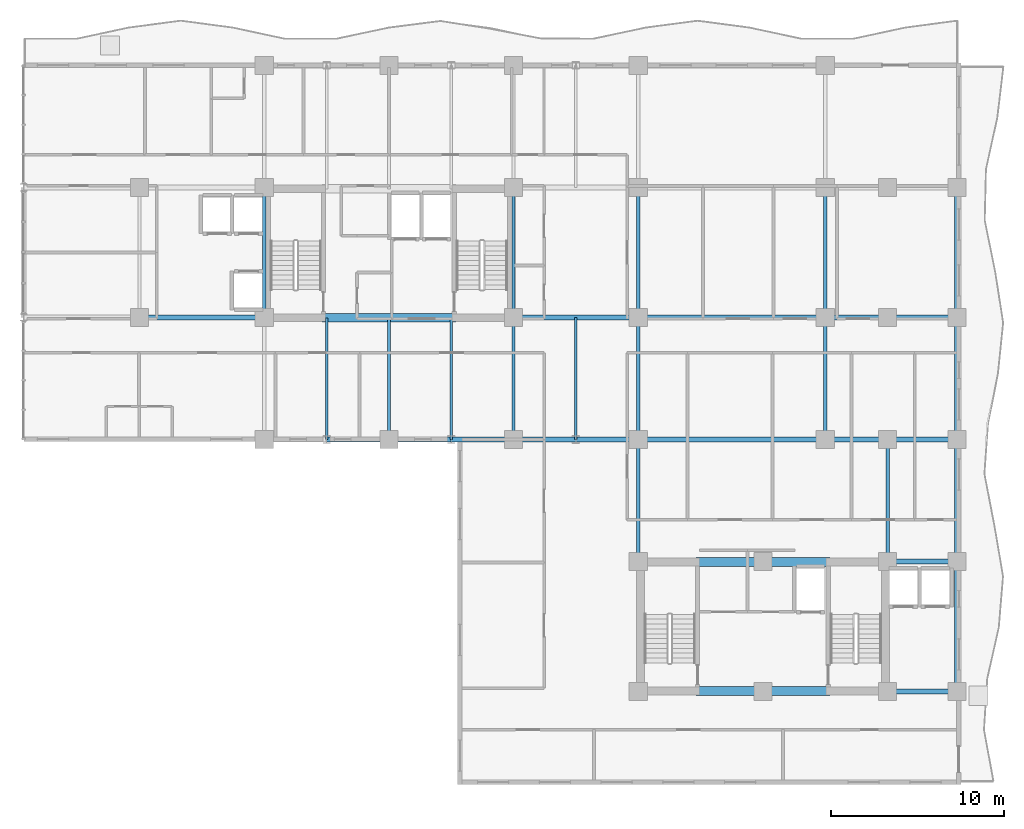
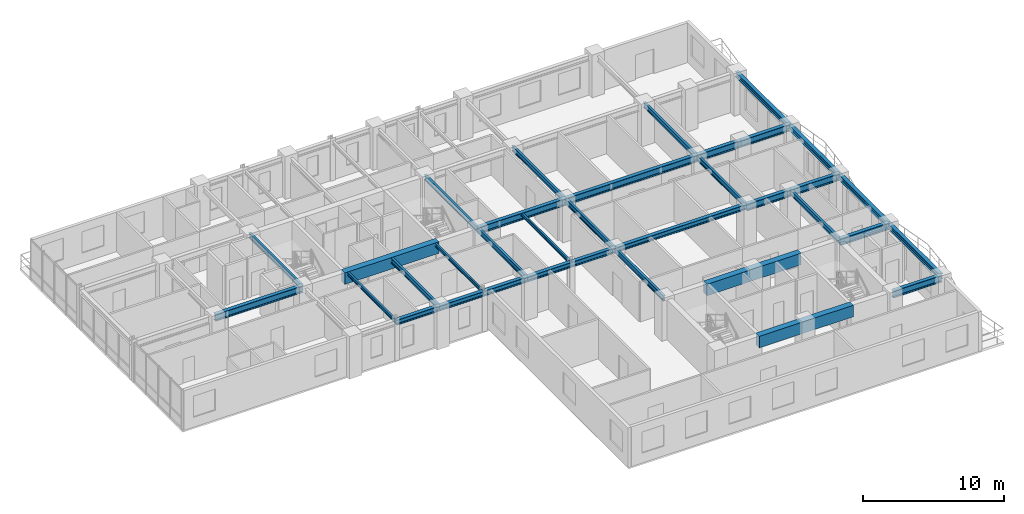
# One storey, part 6 of 19: 35 beams.
"""IFC4 building model written with IfcOpenShell, lengths in metres."""

from ifc_helpers import new_model, si_unit, direction, frame, origin, origin_2d, place, context, subcontext, project, spatial, rectangle, i_section, extrude, source, transform, mapped, material, material_profile, profile_set, type_object, element, save


model = new_model("IFC4")

# Units and contexts
model_context = context("Model", 3, precision=1e-05, world=origin(), true_north=direction((0.0, 1.0)))
body_context = subcontext(model_context, "Body", "Model", "MODEL_VIEW")
ifc_project = project(units=[si_unit("LENGTHUNIT", "METRE"), si_unit("AREAUNIT", "SQUARE_METRE"), si_unit("VOLUMEUNIT", "CUBIC_METRE"), si_unit("PLANEANGLEUNIT", "RADIAN"), si_unit("MASSUNIT", "GRAM", prefix="KILO")], contexts=[model_context])

# Site, building, storey
site_placement = place(None, origin())
site = spatial("IfcSite", under=ifc_project, at=site_placement, CompositionType="ELEMENT")
building_placement = place(site_placement, origin())
building = spatial("IfcBuilding", under=site, at=building_placement, Name="Kaliganga Portal Commons", CompositionType="ELEMENT")
storey_placement = place(building_placement, frame((0.0, 0.0, 184.60009765625)))
storey = spatial("IfcBuildingStorey", under=building, at=storey_placement, Name="L47", CompositionType="ELEMENT", Elevation=184.60009765625)

# Beams
ifc_material_1 = material(Name="Concrete C50/60", Category="concrete")
ifc_material_profile_1 = material_profile(ifc_material_1, rectangle(XDim=0.5, YDim=1.0, at=origin_2d()), Name="RC 500x1000")
ifc_profile_set_1 = profile_set([ifc_material_profile_1], Name="Concrete C50/60")
beam_type_1 = type_object("IfcBeamType", Name="BM-CPL-1000", PredefinedType="LINTEL", material=ifc_profile_set_1)
shared_shape_1 = source(origin(), body_context, "Body", "SweptSolid", [
    extrude(rectangle(XDim=0.5, YDim=1.0, at=origin_2d()), origin(), (0.0, 0.0, 1.0), 7.739990234375),
])
for number, where, z_axis, x_axis, name in (
    (1, (17.72998046875, 28.625, 2.9599609375), (1.0, 0.0, 0.0), (0.0, 1.0, 0.0), "BM CPL COREA L47 S"),
    (2, (39.330078125, 7.074951171875, 2.9599609375), (1.0, 0.0, 0.0), (0.0, 1.0, 0.0), "BM CPL COREB L47 S"),
    (3, (39.330078125, 14.52490234375, 2.9599609375), (1.0, 0.0, 0.0), (0.0, 1.0, 0.0), "BM CPL COREB L47 N"),
):
    element("IfcBeam", number, at=place(storey_placement, frame(where, z_axis=z_axis, x_axis=x_axis)), inside=storey, type_object=beam_type_1, Name=name, PredefinedType="LINTEL", context=body_context, shape_type="MappedRepresentation", body=[
        mapped(shared_shape_1, transform((0.0, 0.0, 0.0), x_axis=(1.0, 0.0, 0.0), y_axis=(0.0, 1.0, 0.0), z_axis=(0.0, 0.0, 1.0), scale=1.0)),
    ])
ifc_material_2 = material(Name="Structural steel S355J2", Category="steel")
ifc_material_profile_2 = material_profile(ifc_material_2, i_section(OverallWidth=0.300048828125, OverallDepth=0.449951171875, WebThickness=0.013916015625, FlangeThickness=0.02587890625, FilletRadius=0.027099609375, at=origin_2d()), Name="HE 450 B")
ifc_profile_set_2 = profile_set([ifc_material_profile_2], Name="Structural steel S355J2 wide-flange")
beam_type_2 = type_object("IfcBeamType", Name="BM-SPAND-450", PredefinedType="SPANDREL", material=ifc_profile_set_2)
shared_shape_2 = source(origin(), body_context, "Body", "SweptSolid", [
    extrude(i_section(OverallWidth=0.300048828125, OverallDepth=0.449951171875, WebThickness=0.013916015625, FlangeThickness=0.02587890625, FilletRadius=0.027099609375, at=origin_2d()), origin(), (0.0, 0.0, 1.0), 3.60009765625),
])
for number, where, z_axis, x_axis, name in (
    (4, (18.0, 21.60009765625, 3.23486328125), (1.0, 0.0, 0.0), (0.0, 1.0, 0.0), "BM SP L47 AS 2"),
    (5, (25.199951171875, 21.60009765625, 3.23486328125), (1.0, 0.0, 0.0), (0.0, 1.0, 0.0), "BM SP L47 AS 4"),
    (6, (32.39990234375, 21.60009765625, 3.23486328125), (1.0, 0.0, 0.0), (0.0, 1.0, 0.0), "BM SP L47 AS 6"),
):
    element("IfcBeam", number, at=place(storey_placement, frame(where, z_axis=z_axis, x_axis=x_axis)), inside=storey, type_object=beam_type_2, Name=name, PredefinedType="SPANDREL", context=body_context, shape_type="MappedRepresentation", body=[
        mapped(shared_shape_2, transform((0.0, 0.0, 0.0), x_axis=(1.0, 0.0, 0.0), y_axis=(0.0, 1.0, 0.0), z_axis=(0.0, 0.0, 1.0), scale=1.0)),
    ])
shared_shape_3 = source(origin(), body_context, "Body", "SweptSolid", [
    extrude(i_section(OverallWidth=0.300048828125, OverallDepth=0.449951171875, WebThickness=0.013916015625, FlangeThickness=0.02587890625, FilletRadius=0.027099609375, at=origin_2d()), origin(), (0.0, 0.0, 1.0), 3.599853515625),
])
for number, where, z_axis, x_axis, name in (
    (7, (21.60009765625, 21.60009765625, 3.23486328125), (1.0, 0.0, 0.0), (0.0, 1.0, 0.0), "BM SP L47 AS 3"),
    (8, (28.800048828125, 21.60009765625, 3.23486328125), (1.0, 0.0, 0.0), (0.0, 1.0, 0.0), "BM SP L47 AS 5"),
):
    element("IfcBeam", number, at=place(storey_placement, frame(where, z_axis=z_axis, x_axis=x_axis)), inside=storey, type_object=beam_type_2, Name=name, PredefinedType="SPANDREL", context=body_context, shape_type="MappedRepresentation", body=[
        mapped(shared_shape_3, transform((0.0, 0.0, 0.0), x_axis=(1.0, 0.0, 0.0), y_axis=(0.0, 1.0, 0.0), z_axis=(0.0, 0.0, 1.0), scale=1.0)),
    ])
shared_shape_4 = source(origin(), body_context, "Body", "SweptSolid", [
    extrude(i_section(OverallWidth=0.300048828125, OverallDepth=0.449951171875, WebThickness=0.013916015625, FlangeThickness=0.02587890625, FilletRadius=0.027099609375, at=origin_2d()), origin(), (0.0, 0.0, 1.0), 10.800048828125),
])
beam_1_placement = place(storey_placement, frame((36.0, 21.60009765625, 3.23486328125), z_axis=(1.0, 0.0, 0.0), x_axis=(0.0, 1.0, 0.0)))
element("IfcBeam", 9, at=beam_1_placement, inside=storey, type_object=beam_type_2, Name="BM SP L47 AS 7", PredefinedType="SPANDREL", context=body_context, shape_type="MappedRepresentation", body=[
    mapped(shared_shape_4, transform((0.0, 0.0, 0.0), x_axis=(1.0, 0.0, 0.0), y_axis=(0.0, 1.0, 0.0), z_axis=(0.0, 0.0, 1.0), scale=1.0)),
])
shared_shape_5 = source(origin(), body_context, "Body", "SweptSolid", [
    extrude(i_section(OverallWidth=0.300048828125, OverallDepth=0.449951171875, WebThickness=0.013916015625, FlangeThickness=0.02587890625, FilletRadius=0.027099609375, at=origin_2d()), origin(), (0.0, 0.0, 1.0), 7.5),
])
for number, where, z_axis, x_axis, name in (
    (10, (54.39990234375, 7.050048828125, 3.23486328125), (0.0, 1.0, 0.0), (-1.0, 0.0, 0.0), "BM SP L47 BE 1"),
    (11, (54.39990234375, 28.64990234375, 3.23486328125), (0.0, 1.0, 0.0), (-1.0, 0.0, 0.0), "BM SP L47 BE 4"),
):
    element("IfcBeam", number, at=place(storey_placement, frame(where, z_axis=z_axis, x_axis=x_axis)), inside=storey, type_object=beam_type_2, Name=name, PredefinedType="SPANDREL", context=body_context, shape_type="MappedRepresentation", body=[
        mapped(shared_shape_5, transform((0.0, 0.0, 0.0), x_axis=(1.0, 0.0, 0.0), y_axis=(0.0, 1.0, 0.0), z_axis=(0.0, 0.0, 1.0), scale=1.0)),
    ])
shared_shape_6 = source(origin(), body_context, "Body", "SweptSolid", [
    extrude(i_section(OverallWidth=0.300048828125, OverallDepth=0.449951171875, WebThickness=0.013916015625, FlangeThickness=0.02587890625, FilletRadius=0.027099609375, at=origin_2d()), origin(), (0.0, 0.0, 1.0), 7.050048828125),
])
beam_2_placement = place(storey_placement, frame((54.39990234375, 14.550048828125, 3.23486328125), z_axis=(0.0, 1.0, 0.0), x_axis=(-1.0, 0.0, 0.0)))
element("IfcBeam", 12, at=beam_2_placement, inside=storey, type_object=beam_type_2, Name="BM SP L47 BE 2", PredefinedType="SPANDREL", context=body_context, shape_type="MappedRepresentation", body=[
    mapped(shared_shape_6, transform((0.0, 0.0, 0.0), x_axis=(1.0, 0.0, 0.0), y_axis=(0.0, 1.0, 0.0), z_axis=(0.0, 0.0, 1.0), scale=1.0)),
])
shared_shape_7 = source(origin(), body_context, "Body", "SweptSolid", [
    extrude(i_section(OverallWidth=0.300048828125, OverallDepth=0.449951171875, WebThickness=0.013916015625, FlangeThickness=0.02587890625, FilletRadius=0.027099609375, at=origin_2d()), origin(), (0.0, 0.0, 1.0), 7.0498046875),
])
beam_3_placement = place(storey_placement, frame((54.39990234375, 21.60009765625, 3.23486328125), z_axis=(0.0, 1.0, 0.0), x_axis=(-1.0, 0.0, 0.0)))
element("IfcBeam", 13, at=beam_3_placement, inside=storey, type_object=beam_type_2, Name="BM SP L47 BE 3", PredefinedType="SPANDREL", context=body_context, shape_type="MappedRepresentation", body=[
    mapped(shared_shape_7, transform((0.0, 0.0, 0.0), x_axis=(1.0, 0.0, 0.0), y_axis=(0.0, 1.0, 0.0), z_axis=(0.0, 0.0, 1.0), scale=1.0)),
])
ifc_material_profile_3 = material_profile(ifc_material_2, i_section(OverallWidth=0.300048828125, OverallDepth=0.60009765625, WebThickness=0.015380859375, FlangeThickness=0.030029296875, FilletRadius=0.027099609375, at=origin_2d()), Name="HE 600 B")
ifc_profile_set_3 = profile_set([ifc_material_profile_3], Name="Structural steel S355J2 wide-flange")
beam_type_3 = type_object("IfcBeamType", Name="BM-GIRD-600", PredefinedType="USERDEFINED", material=ifc_profile_set_3)
shared_shape_8 = source(origin(), body_context, "Body", "SweptSolid", [
    extrude(i_section(OverallWidth=0.300048828125, OverallDepth=0.60009765625, WebThickness=0.015380859375, FlangeThickness=0.030029296875, FilletRadius=0.027099609375, at=origin_2d()), origin(), (0.0, 0.0, 1.0), 7.199951171875),
])
for number, where, z_axis, x_axis, name in (
    (14, (7.199951171875, 28.64990234375, 3.159912109375), (1.0, 0.0, 0.0), (0.0, 1.0, 0.0), "BM G L47 WAH_S 2"),
    (15, (28.800048828125, 28.64990234375, 3.159912109375), (1.0, 0.0, 0.0), (0.0, 1.0, 0.0), "BM G L47 WAE_S 1"),
):
    element("IfcBeam", number, at=place(storey_placement, frame(where, z_axis=z_axis, x_axis=x_axis)), inside=storey, type_object=beam_type_3, Name=name, ObjectType="GIRDER", PredefinedType="USERDEFINED", context=body_context, shape_type="MappedRepresentation", body=[
        mapped(shared_shape_8, transform((0.0, 0.0, 0.0), x_axis=(1.0, 0.0, 0.0), y_axis=(0.0, 1.0, 0.0), z_axis=(0.0, 0.0, 1.0), scale=1.0)),
    ])
shared_shape_9 = source(origin(), body_context, "Body", "SweptSolid", [
    extrude(i_section(OverallWidth=0.300048828125, OverallDepth=0.60009765625, WebThickness=0.015380859375, FlangeThickness=0.030029296875, FilletRadius=0.027099609375, at=origin_2d()), origin(), (0.0, 0.0, 1.0), 10.800048828125),
])
beam_4_placement = place(storey_placement, frame((36.0, 28.64990234375, 3.159912109375), z_axis=(1.0, 0.0, 0.0), x_axis=(0.0, 1.0, 0.0)))
element("IfcBeam", 16, at=beam_4_placement, inside=storey, type_object=beam_type_3, Name="BM G L47 WAE_S 2", ObjectType="GIRDER", PredefinedType="USERDEFINED", context=body_context, shape_type="MappedRepresentation", body=[
    mapped(shared_shape_9, transform((0.0, 0.0, 0.0), x_axis=(1.0, 0.0, 0.0), y_axis=(0.0, 1.0, 0.0), z_axis=(0.0, 0.0, 1.0), scale=1.0)),
])
shared_shape_10 = source(origin(), body_context, "Body", "SweptSolid", [
    extrude(i_section(OverallWidth=0.300048828125, OverallDepth=0.60009765625, WebThickness=0.015380859375, FlangeThickness=0.030029296875, FilletRadius=0.027099609375, at=origin_2d()), origin(), (0.0, 0.0, 1.0), 4.0),
])
for number, where, z_axis, x_axis, name in (
    (17, (50.39990234375, 7.050048828125, 3.159912109375), (1.0, 0.0, 0.0), (0.0, 1.0, 0.0), "BM G L47 BKE70 1"),
    (18, (50.39990234375, 14.550048828125, 3.159912109375), (1.0, 0.0, 0.0), (0.0, 1.0, 0.0), "BM G L47 BKE146 1"),
    (19, (50.39990234375, 21.60009765625, 3.159912109375), (1.0, 0.0, 0.0), (0.0, 1.0, 0.0), "BM G L47 BKE216 2"),
    (20, (50.39990234375, 28.64990234375, 3.159912109375), (1.0, 0.0, 0.0), (0.0, 1.0, 0.0), "BM G L47 BKE286 2"),
):
    element("IfcBeam", number, at=place(storey_placement, frame(where, z_axis=z_axis, x_axis=x_axis)), inside=storey, type_object=beam_type_3, Name=name, ObjectType="GIRDER", PredefinedType="USERDEFINED", context=body_context, shape_type="MappedRepresentation", body=[
        mapped(shared_shape_10, transform((0.0, 0.0, 0.0), x_axis=(1.0, 0.0, 0.0), y_axis=(0.0, 1.0, 0.0), z_axis=(0.0, 0.0, 1.0), scale=1.0)),
    ])
shared_shape_11 = source(origin(), body_context, "Body", "SweptSolid", [
    extrude(i_section(OverallWidth=0.300048828125, OverallDepth=0.60009765625, WebThickness=0.015380859375, FlangeThickness=0.030029296875, FilletRadius=0.027099609375, at=origin_2d()), origin(), (0.0, 0.0, 1.0), 3.599853515625),
])
for number, where, z_axis, x_axis, name in (
    (21, (46.800048828125, 21.60009765625, 3.159912109375), (1.0, 0.0, 0.0), (0.0, 1.0, 0.0), "BM G L47 BKE216 1"),
    (22, (46.800048828125, 28.64990234375, 3.159912109375), (1.0, 0.0, 0.0), (0.0, 1.0, 0.0), "BM G L47 BKE286 1"),
):
    element("IfcBeam", number, at=place(storey_placement, frame(where, z_axis=z_axis, x_axis=x_axis)), inside=storey, type_object=beam_type_3, Name=name, ObjectType="GIRDER", PredefinedType="USERDEFINED", context=body_context, shape_type="MappedRepresentation", body=[
        mapped(shared_shape_11, transform((0.0, 0.0, 0.0), x_axis=(1.0, 0.0, 0.0), y_axis=(0.0, 1.0, 0.0), z_axis=(0.0, 0.0, 1.0), scale=1.0)),
    ])
ifc_material_profile_4 = material_profile(ifc_material_2, i_section(OverallWidth=0.18994140625, OverallDepth=0.449951171875, WebThickness=0.009521484375, FlangeThickness=0.0146484375, FilletRadius=0.02099609375, at=origin_2d()), Name="IPE 450")
ifc_profile_set_4 = profile_set([ifc_material_profile_4], Name="Structural steel S355J2 wide-flange")
beam_type_4 = type_object("IfcBeamType", Name="BM-FLR-450", PredefinedType="BEAM", material=ifc_profile_set_4)
shared_shape_12 = source(origin(), body_context, "Body", "SweptSolid", [
    extrude(i_section(OverallWidth=0.18994140625, OverallDepth=0.449951171875, WebThickness=0.009521484375, FlangeThickness=0.0146484375, FilletRadius=0.02099609375, at=origin_2d()), origin(), (0.0, 0.0, 1.0), 7.5),
])
for number, where, z_axis, x_axis, name in (
    (23, (14.39990234375, 28.64990234375, 3.23486328125), (0.0, 1.0, 0.0), (-1.0, 0.0, 0.0), "BM G L47 AM144"),
    (24, (28.800048828125, 28.64990234375, 3.23486328125), (0.0, 1.0, 0.0), (-1.0, 0.0, 0.0), "BM G L47 AM288"),
    (25, (36.0, 28.64990234375, 3.23486328125), (0.0, 1.0, 0.0), (-1.0, 0.0, 0.0), "BM G L47 AM360"),
    (26, (46.800048828125, 28.64990234375, 3.23486328125), (0.0, 1.0, 0.0), (-1.0, 0.0, 0.0), "BM G L47 AM468"),
):
    element("IfcBeam", number, at=place(storey_placement, frame(where, z_axis=z_axis, x_axis=x_axis)), inside=storey, type_object=beam_type_4, Name=name, PredefinedType="BEAM", context=body_context, shape_type="MappedRepresentation", body=[
        mapped(shared_shape_12, transform((0.0, 0.0, 0.0), x_axis=(1.0, 0.0, 0.0), y_axis=(0.0, 1.0, 0.0), z_axis=(0.0, 0.0, 1.0), scale=1.0)),
    ])
shared_shape_13 = source(origin(), body_context, "Body", "SweptSolid", [
    extrude(i_section(OverallWidth=0.18994140625, OverallDepth=0.449951171875, WebThickness=0.009521484375, FlangeThickness=0.0146484375, FilletRadius=0.02099609375, at=origin_2d()), origin(), (0.0, 0.0, 1.0), 7.050048828125),
])
for number, where, z_axis, x_axis, name in (
    (27, (36.0, 14.550048828125, 3.23486328125), (0.0, 1.0, 0.0), (-1.0, 0.0, 0.0), "BM G L47 BNK360"),
    (28, (50.39990234375, 14.550048828125, 3.23486328125), (0.0, 1.0, 0.0), (-1.0, 0.0, 0.0), "BM G L47 BNK504"),
):
    element("IfcBeam", number, at=place(storey_placement, frame(where, z_axis=z_axis, x_axis=x_axis)), inside=storey, type_object=beam_type_4, Name=name, PredefinedType="BEAM", context=body_context, shape_type="MappedRepresentation", body=[
        mapped(shared_shape_13, transform((0.0, 0.0, 0.0), x_axis=(1.0, 0.0, 0.0), y_axis=(0.0, 1.0, 0.0), z_axis=(0.0, 0.0, 1.0), scale=1.0)),
    ])
shared_shape_14 = source(origin(), body_context, "Body", "SweptSolid", [
    extrude(i_section(OverallWidth=0.18994140625, OverallDepth=0.449951171875, WebThickness=0.009521484375, FlangeThickness=0.0146484375, FilletRadius=0.02099609375, at=origin_2d()), origin(), (0.0, 0.0, 1.0), 7.0498046875),
])
for number, where, z_axis, x_axis, name in (
    (29, (28.800048828125, 21.60009765625, 3.23486328125), (0.0, 1.0, 0.0), (-1.0, 0.0, 0.0), "BM G L47 AS288"),
    (30, (36.0, 21.60009765625, 3.23486328125), (0.0, 1.0, 0.0), (-1.0, 0.0, 0.0), "BM G L47 AS360"),
    (31, (46.800048828125, 21.60009765625, 3.23486328125), (0.0, 1.0, 0.0), (-1.0, 0.0, 0.0), "BM G L47 AS468"),
):
    element("IfcBeam", number, at=place(storey_placement, frame(where, z_axis=z_axis, x_axis=x_axis)), inside=storey, type_object=beam_type_4, Name=name, PredefinedType="BEAM", context=body_context, shape_type="MappedRepresentation", body=[
        mapped(shared_shape_14, transform((0.0, 0.0, 0.0), x_axis=(1.0, 0.0, 0.0), y_axis=(0.0, 1.0, 0.0), z_axis=(0.0, 0.0, 1.0), scale=1.0)),
    ])
ifc_material_profile_5 = material_profile(ifc_material_2, i_section(OverallWidth=0.14990234375, OverallDepth=0.300048828125, WebThickness=0.007080078125, FlangeThickness=0.0107421875, FilletRadius=0.014892578125, at=origin_2d()), Name="IPE 300")
ifc_profile_set_5 = profile_set([ifc_material_profile_5], Name="Structural steel S355J2 wide-flange")
beam_type_5 = type_object("IfcBeamType", Name="BM-JST-300", PredefinedType="JOIST", material=ifc_profile_set_5)
shared_shape_15 = source(origin(), body_context, "Body", "SweptSolid", [
    extrude(i_section(OverallWidth=0.14990234375, OverallDepth=0.300048828125, WebThickness=0.007080078125, FlangeThickness=0.0107421875, FilletRadius=0.014892578125, at=origin_2d()), origin(), (0.0, 0.0, 1.0), 7.02490234375),
])
for number, where, z_axis, x_axis, name in (
    (32, (18.0, 21.60009765625, 3.309814453125), (0.0, 1.0, 0.0), (-1.0, 0.0, 0.0), "BM G L47 AS180"),
    (33, (25.199951171875, 21.60009765625, 3.309814453125), (0.0, 1.0, 0.0), (-1.0, 0.0, 0.0), "BM G L47 AS252"),
):
    element("IfcBeam", number, at=place(storey_placement, frame(where, z_axis=z_axis, x_axis=x_axis)), inside=storey, type_object=beam_type_5, Name=name, PredefinedType="JOIST", context=body_context, shape_type="MappedRepresentation", body=[
        mapped(shared_shape_15, transform((0.0, 0.0, 0.0), x_axis=(1.0, 0.0, 0.0), y_axis=(0.0, 1.0, 0.0), z_axis=(0.0, 0.0, 1.0), scale=1.0)),
    ])
shared_shape_16 = source(origin(), body_context, "Body", "SweptSolid", [
    extrude(i_section(OverallWidth=0.18994140625, OverallDepth=0.449951171875, WebThickness=0.009521484375, FlangeThickness=0.0146484375, FilletRadius=0.02099609375, at=origin_2d()), origin(), (0.0, 0.0, 1.0), 7.02490234375),
])
beam_5_placement = place(storey_placement, frame((21.60009765625, 21.60009765625, 3.23486328125), z_axis=(0.0, 1.0, 0.0), x_axis=(-1.0, 0.0, 0.0)))
element("IfcBeam", 34, at=beam_5_placement, inside=storey, type_object=beam_type_4, Name="BM G L47 AS216", PredefinedType="BEAM", context=body_context, shape_type="MappedRepresentation", body=[
    mapped(shared_shape_16, transform((0.0, 0.0, 0.0), x_axis=(1.0, 0.0, 0.0), y_axis=(0.0, 1.0, 0.0), z_axis=(0.0, 0.0, 1.0), scale=1.0)),
])
shared_shape_17 = source(origin(), body_context, "Body", "SweptSolid", [
    extrude(i_section(OverallWidth=0.14990234375, OverallDepth=0.300048828125, WebThickness=0.007080078125, FlangeThickness=0.0107421875, FilletRadius=0.014892578125, at=origin_2d()), origin(), (0.0, 0.0, 1.0), 7.0498046875),
])
beam_6_placement = place(storey_placement, frame((32.39990234375, 21.60009765625, 3.309814453125), z_axis=(0.0, 1.0, 0.0), x_axis=(-1.0, 0.0, 0.0)))
element("IfcBeam", 35, at=beam_6_placement, inside=storey, type_object=beam_type_5, Name="BM G L47 AS324", PredefinedType="JOIST", context=body_context, shape_type="MappedRepresentation", body=[
    mapped(shared_shape_17, transform((0.0, 0.0, 0.0), x_axis=(1.0, 0.0, 0.0), y_axis=(0.0, 1.0, 0.0), z_axis=(0.0, 0.0, 1.0), scale=1.0)),
])

save(model, "model.ifc")
